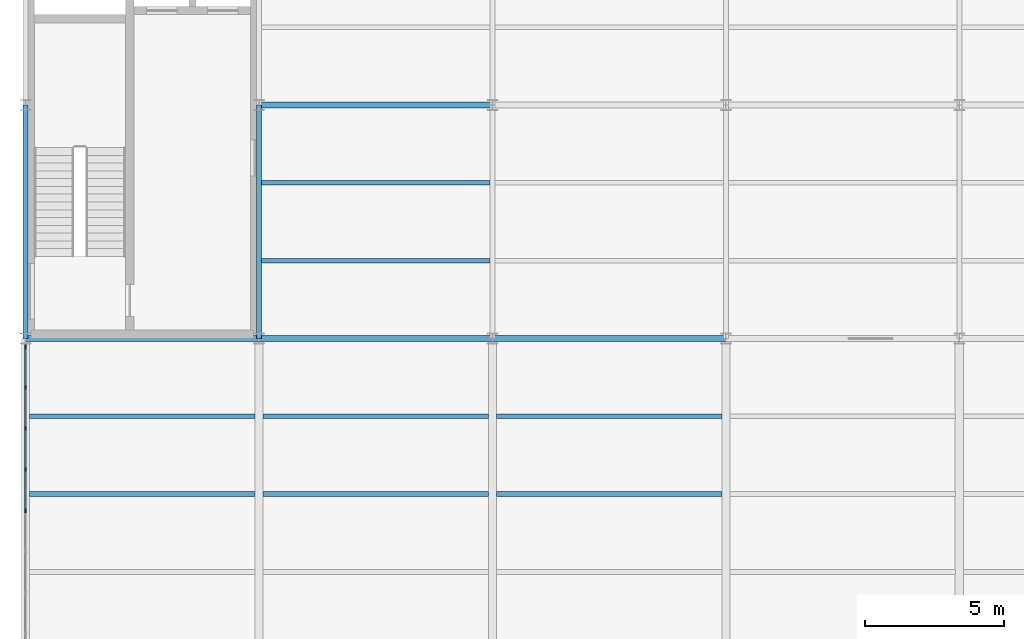
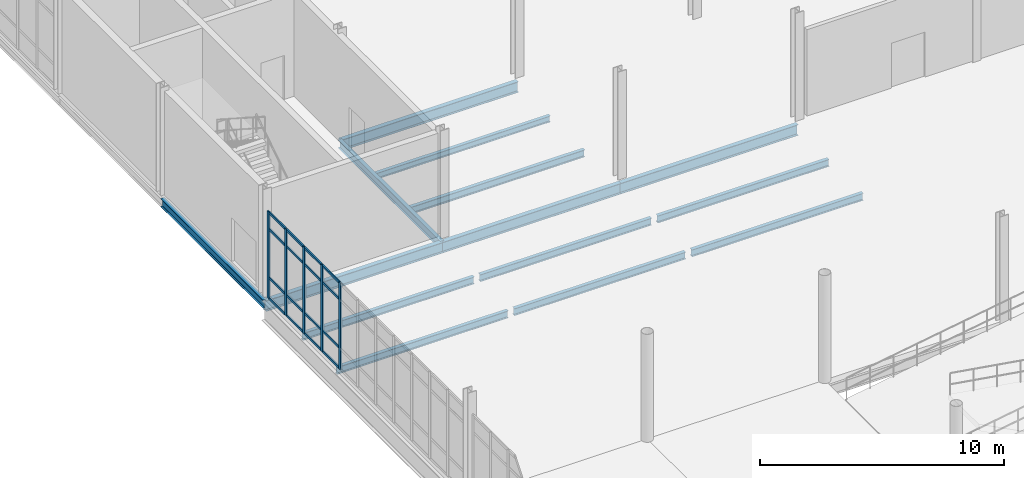
# One storey, part 27 of 111: 21 members, 14 beams, 1 element without a shape of its own.
"""IFC4 building model written with IfcOpenShell, lengths in metres."""

from ifc_helpers import new_model, si_unit, direction, frame, origin, origin_2d, place, context, subcontext, project, spatial, rectangle, i_section, extrude, material, layer, layer_set, material_profile, profile_set, type_object, element, aggregate, save


model = new_model("IFC4")

# Units and contexts
model_context = context("Model", 3, precision=1e-05, world=origin(), true_north=direction((0.0, 1.0)))
body_context = subcontext(model_context, "Body", "Model", "MODEL_VIEW")
ifc_project = project(units=[si_unit("LENGTHUNIT", "METRE"), si_unit("AREAUNIT", "SQUARE_METRE"), si_unit("VOLUMEUNIT", "CUBIC_METRE"), si_unit("PLANEANGLEUNIT", "RADIAN"), si_unit("MASSUNIT", "GRAM", prefix="KILO"), si_unit("THERMODYNAMICTEMPERATUREUNIT", "KELVIN"), si_unit("POWERUNIT", "WATT")], contexts=[model_context])

# Site, building, storey
site_placement = place(None, origin())
site = spatial("IfcSite", under=ifc_project, at=site_placement, CompositionType="ELEMENT")
building_placement = place(site_placement, origin())
building = spatial("IfcBuilding", under=site, at=building_placement, Name="Tembeka Court Mobility Hub", CompositionType="ELEMENT")
storey_placement = place(building_placement, origin())
storey = spatial("IfcBuildingStorey", under=building, at=storey_placement, Name="L00", CompositionType="ELEMENT", Elevation=0.0)

# Beams
ifc_material_1 = material(Name="Steel S355", Category="steel")
ifc_material_profile_1 = material_profile(ifc_material_1, i_section(OverallWidth=0.177978515625, OverallDepth=0.406005859375, WebThickness=0.0078125, FlangeThickness=0.0126953125, FilletRadius=0.01025390625, at=origin_2d()), Name="UKB 406x178x60")
ifc_profile_set_1 = profile_set([ifc_material_profile_1], Name="Steel S355")
beam_type_1 = type_object("IfcBeamType", Name="BM-B02", PredefinedType="BEAM", material=ifc_profile_set_1)
for number, where, z_axis, x_axis, name in (
    (1, (0.0, 38.39990234375, -0.48291015625), (0.0, 1.0, 0.0), (-1.0, 0.0, 0.0), "Beam B02 (BM-L00-Y0167)"),
    (2, (8.39990234375, 38.39990234375, -0.48291015625), (0.0, 1.0, 0.0), (-1.0, 0.0, 0.0), "Beam B02 (BM-L00-Y0178)"),
):
    element("IfcBeam", number, at=place(storey_placement, frame(where, z_axis=z_axis, x_axis=x_axis)), inside=storey, type_object=beam_type_1, Name=name, PredefinedType="BEAM", context=body_context, shape_type="SweptSolid", body=[
        extrude(i_section(OverallWidth=0.177978515625, OverallDepth=0.406005859375, WebThickness=0.0078125, FlangeThickness=0.0126953125, FilletRadius=0.01025390625, at=origin_2d()), origin(), (0.0, 0.0, 1.0), 8.400146484375),
    ])
ifc_material_profile_2 = material_profile(ifc_material_1, i_section(OverallWidth=0.2099609375, OverallDepth=0.537109375, WebThickness=0.0107421875, FlangeThickness=0.017333984375, FilletRadius=0.0126953125, at=origin_2d()), Name="UKB 533x210x101")
ifc_profile_set_2 = profile_set([ifc_material_profile_2], Name="Steel S355")
beam_type_2 = type_object("IfcBeamType", Name="BM-G03", PredefinedType="USERDEFINED", material=ifc_profile_set_2)
beam_1_placement = place(storey_placement, frame((0.0, 38.39990234375, -0.548583984375), z_axis=(1.0, 0.0, 0.0), x_axis=(0.0, 1.0, 0.0)))
element("IfcBeam", 3, at=beam_1_placement, inside=storey, type_object=beam_type_2, Name="Beam G03 (BM-L00-X0041)", ObjectType="GIRDER", PredefinedType="USERDEFINED", context=body_context, shape_type="SweptSolid", body=[
    extrude(i_section(OverallWidth=0.2099609375, OverallDepth=0.537109375, WebThickness=0.0107421875, FlangeThickness=0.017333984375, FilletRadius=0.0126953125, at=origin_2d()), origin(), (0.0, 0.0, 1.0), 8.39990234375),
])
beam_2_placement = place(storey_placement, frame((8.39990234375, 38.39990234375, -0.548583984375), z_axis=(1.0, 0.0, 0.0), x_axis=(0.0, 1.0, 0.0)))
element("IfcBeam", 4, at=beam_2_placement, inside=storey, type_object=beam_type_2, Name="Beam G03 (BM-L00-X0042)", ObjectType="GIRDER", PredefinedType="USERDEFINED", context=body_context, shape_type="SweptSolid", body=[
    extrude(i_section(OverallWidth=0.2099609375, OverallDepth=0.537109375, WebThickness=0.0107421875, FlangeThickness=0.017333984375, FilletRadius=0.0126953125, at=origin_2d()), origin(), (0.0, 0.0, 1.0), 8.400146484375),
])
beam_3_placement = place(storey_placement, frame((16.800048828125, 38.39990234375, -0.548583984375), z_axis=(1.0, 0.0, 0.0), x_axis=(0.0, 1.0, 0.0)))
element("IfcBeam", 5, at=beam_3_placement, inside=storey, type_object=beam_type_2, Name="Beam G03 (BM-L00-X0043)", ObjectType="GIRDER", PredefinedType="USERDEFINED", context=body_context, shape_type="SweptSolid", body=[
    extrude(i_section(OverallWidth=0.2099609375, OverallDepth=0.537109375, WebThickness=0.0107421875, FlangeThickness=0.017333984375, FilletRadius=0.0126953125, at=origin_2d()), origin(), (0.0, 0.0, 1.0), 8.39990234375),
])
beam_4_placement = place(storey_placement, frame((8.39990234375, 46.800048828125, -0.548583984375), z_axis=(1.0, 0.0, 0.0), x_axis=(0.0, 1.0, 0.0)))
element("IfcBeam", 6, at=beam_4_placement, inside=storey, type_object=beam_type_2, Name="Beam G03 (BM-L00-X0059)", ObjectType="GIRDER", PredefinedType="USERDEFINED", context=body_context, shape_type="SweptSolid", body=[
    extrude(i_section(OverallWidth=0.2099609375, OverallDepth=0.537109375, WebThickness=0.0107421875, FlangeThickness=0.017333984375, FilletRadius=0.0126953125, at=origin_2d()), origin(), (0.0, 0.0, 1.0), 8.400146484375),
])
ifc_material_profile_3 = material_profile(ifc_material_1, i_section(OverallWidth=0.172119140625, OverallDepth=0.35498046875, WebThickness=0.00732421875, FlangeThickness=0.011474609375, FilletRadius=0.01025390625, at=origin_2d()), Name="UKB 356x171x51")
ifc_profile_set_3 = profile_set([ifc_material_profile_3], Name="Steel S355")
beam_type_3 = type_object("IfcBeamType", Name="BM-J01", PredefinedType="JOIST", material=ifc_profile_set_3)
for number, where, z_axis, x_axis, name in (
    (7, (0.14501953125, 32.800048828125, -0.45751953125), (1.0, 0.0, 0.0), (0.0, 1.0, 0.0), "Beam J01 (JST-L00-0329)"),
    (8, (0.14501953125, 35.60009765625, -0.45751953125), (1.0, 0.0, 0.0), (0.0, 1.0, 0.0), "Beam J01 (JST-L00-0330)"),
):
    element("IfcBeam", number, at=place(storey_placement, frame(where, z_axis=z_axis, x_axis=x_axis)), inside=storey, type_object=beam_type_3, Name=name, PredefinedType="JOIST", context=body_context, shape_type="SweptSolid", body=[
        extrude(i_section(OverallWidth=0.172119140625, OverallDepth=0.35498046875, WebThickness=0.00732421875, FlangeThickness=0.011474609375, FilletRadius=0.01025390625, at=origin_2d()), origin(), (0.0, 0.0, 1.0), 8.10986328125),
    ])
for number, where, z_axis, x_axis, name in (
    (9, (8.544921875, 32.800048828125, -0.45751953125), (1.0, 0.0, 0.0), (0.0, 1.0, 0.0), "Beam J01 (JST-L00-0341)"),
    (10, (8.544921875, 35.60009765625, -0.45751953125), (1.0, 0.0, 0.0), (0.0, 1.0, 0.0), "Beam J01 (JST-L00-0342)"),
):
    element("IfcBeam", number, at=place(storey_placement, frame(where, z_axis=z_axis, x_axis=x_axis)), inside=storey, type_object=beam_type_3, Name=name, PredefinedType="JOIST", context=body_context, shape_type="SweptSolid", body=[
        extrude(i_section(OverallWidth=0.172119140625, OverallDepth=0.35498046875, WebThickness=0.00732421875, FlangeThickness=0.011474609375, FilletRadius=0.01025390625, at=origin_2d()), origin(), (0.0, 0.0, 1.0), 8.110107421875),
    ])
for number, where, z_axis, x_axis, name in (
    (11, (16.945068359375, 32.800048828125, -0.45751953125), (1.0, 0.0, 0.0), (0.0, 1.0, 0.0), "Beam J01 (JST-L00-0361)"),
    (12, (16.945068359375, 35.60009765625, -0.45751953125), (1.0, 0.0, 0.0), (0.0, 1.0, 0.0), "Beam J01 (JST-L00-0362)"),
):
    element("IfcBeam", number, at=place(storey_placement, frame(where, z_axis=z_axis, x_axis=x_axis)), inside=storey, type_object=beam_type_3, Name=name, PredefinedType="JOIST", context=body_context, shape_type="SweptSolid", body=[
        extrude(i_section(OverallWidth=0.172119140625, OverallDepth=0.35498046875, WebThickness=0.00732421875, FlangeThickness=0.011474609375, FilletRadius=0.01025390625, at=origin_2d()), origin(), (0.0, 0.0, 1.0), 8.10986328125),
    ])
ifc_material_profile_4 = material_profile(ifc_material_1, i_section(OverallWidth=0.1650390625, OverallDepth=0.303955078125, WebThickness=0.006103515625, FlangeThickness=0.01025390625, FilletRadius=0.0087890625, at=origin_2d()), Name="UKB 305x165x40")
ifc_profile_set_4 = profile_set([ifc_material_profile_4], Name="Steel S355")
beam_type_4 = type_object("IfcBeamType", Name="BM-J02", PredefinedType="JOIST", material=ifc_profile_set_4)
beam_5_placement = place(storey_placement, frame((8.48388671875, 44.0, -0.431884765625), z_axis=(1.0, 0.0, 0.0), x_axis=(0.0, 1.0, 0.0)))
element("IfcBeam", 13, at=beam_5_placement, inside=storey, type_object=beam_type_4, Name="Beam J02 (JST-L00-0344)", PredefinedType="JOIST", context=body_context, shape_type="SweptSolid", body=[
    extrude(i_section(OverallWidth=0.1650390625, OverallDepth=0.303955078125, WebThickness=0.006103515625, FlangeThickness=0.01025390625, FilletRadius=0.0087890625, at=origin_2d()), origin(), (0.0, 0.0, 1.0), 8.232177734375),
])
ifc_material_profile_5 = material_profile(ifc_material_1, i_section(OverallWidth=0.169921875, OverallDepth=0.360107421875, WebThickness=0.008056640625, FlangeThickness=0.0126953125, FilletRadius=0.01806640625, at=origin_2d()), Name="IPE 360")
ifc_profile_set_5 = profile_set([ifc_material_profile_5], Name="Steel S355")
beam_type_5 = type_object("IfcBeamType", Name="BM-J03", PredefinedType="JOIST", material=ifc_profile_set_5)
beam_6_placement = place(storey_placement, frame((8.48388671875, 41.199951171875, -0.4599609375), z_axis=(1.0, 0.0, 0.0), x_axis=(0.0, 1.0, 0.0)))
element("IfcBeam", 14, at=beam_6_placement, inside=storey, type_object=beam_type_5, Name="Beam J03 (JST-L00-0343)", PredefinedType="JOIST", context=body_context, shape_type="SweptSolid", body=[
    extrude(i_section(OverallWidth=0.169921875, OverallDepth=0.360107421875, WebThickness=0.008056640625, FlangeThickness=0.0126953125, FilletRadius=0.01806640625, at=origin_2d()), origin(), (0.0, 0.0, 1.0), 8.232177734375),
])

# Curtain wall, members
ifc_material_2 = material(Name="Anodised aluminium 6063-T6", Category="aluminium")
ifc_layer = layer(ifc_material_2, 0.159912109375)
ifc_layer_set = layer_set([ifc_layer], Name="Anodised aluminium 6063-T6")
curtain_wall_type = type_object("IfcCurtainWallType", Name="CW-SYS19", PredefinedType="USERDEFINED", material=ifc_layer_set)
curtain_wall_placement = place(storey_placement, origin())
curtain_wall = element("IfcCurtainWall", 15, at=curtain_wall_placement, inside=storey, type_object=curtain_wall_type, Name="Unitised curtain wall CW19 (CW-L00-026)", ObjectType="UNITISED GLAZING", PredefinedType="USERDEFINED")
ifc_material_profile_6 = material_profile(ifc_material_2, rectangle(XDim=0.06494140625, YDim=0.159912109375, at=origin_2d()), Name="ALU-MUL 65x160")
ifc_profile_set_6 = profile_set([ifc_material_profile_6], Name="Anodised aluminium 6063-T6")
member_type_1 = type_object("IfcMemberType", Name="CW-MUL01", PredefinedType="MULLION", material=ifc_profile_set_6)
member_1_placement = place(storey_placement, frame((0.0, 32.214599609375, 0.0), z_axis=(0.0, 0.0, 1.0), x_axis=(-1.0, 0.0, 0.0)))
member_1 = element("IfcMember", 16, at=member_1_placement, type_object=member_type_1, Name="CW19 mullion 8", PredefinedType="MULLION", context=body_context, shape_type="SweptSolid", body=[
    extrude(rectangle(XDim=0.06494140625, YDim=0.159912109375, at=origin_2d()), origin(), (0.0, 0.0, 1.0), 4.3349609375),
])
member_2_placement = place(storey_placement, frame((0.0, 33.69091796875, 0.0), z_axis=(0.0, 0.0, 1.0), x_axis=(-1.0, 0.0, 0.0)))
member_2 = element("IfcMember", 17, at=member_2_placement, type_object=member_type_1, Name="CW19 mullion 9", PredefinedType="MULLION", context=body_context, shape_type="SweptSolid", body=[
    extrude(rectangle(XDim=0.06494140625, YDim=0.159912109375, at=origin_2d()), origin(), (0.0, 0.0, 1.0), 4.3349609375),
])
member_3_placement = place(storey_placement, frame((0.0, 35.167236328125, 0.0), z_axis=(0.0, 0.0, 1.0), x_axis=(-1.0, 0.0, 0.0)))
member_3 = element("IfcMember", 18, at=member_3_placement, type_object=member_type_1, Name="CW19 mullion 10", PredefinedType="MULLION", context=body_context, shape_type="SweptSolid", body=[
    extrude(rectangle(XDim=0.06494140625, YDim=0.159912109375, at=origin_2d()), origin(), (0.0, 0.0, 1.0), 4.3349609375),
])
member_4_placement = place(storey_placement, frame((0.0, 36.6435546875, 0.0), z_axis=(0.0, 0.0, 1.0), x_axis=(-1.0, 0.0, 0.0)))
member_4 = element("IfcMember", 19, at=member_4_placement, type_object=member_type_1, Name="CW19 mullion 11", PredefinedType="MULLION", context=body_context, shape_type="SweptSolid", body=[
    extrude(rectangle(XDim=0.06494140625, YDim=0.159912109375, at=origin_2d()), origin(), (0.0, 0.0, 1.0), 4.3349609375),
])
member_5_placement = place(storey_placement, frame((0.0, 38.08740234375, 0.0), z_axis=(0.0, 0.0, 1.0), x_axis=(-1.0, 0.0, 0.0)))
member_5 = element("IfcMember", 20, at=member_5_placement, type_object=member_type_1, Name="CW19 mullion 12", PredefinedType="MULLION", context=body_context, shape_type="SweptSolid", body=[
    extrude(rectangle(XDim=0.06494140625, YDim=0.159912109375, at=origin_2d()), origin(), (0.0, 0.0, 1.0), 4.3349609375),
])
ifc_material_profile_7 = material_profile(ifc_material_2, rectangle(XDim=0.06494140625, YDim=0.1201171875, at=origin_2d()), Name="ALU-TRN 65x120")
ifc_profile_set_7 = profile_set([ifc_material_profile_7], Name="Anodised aluminium 6063-T6")
member_type_2 = type_object("IfcMemberType", Name="CW-TRN01", PredefinedType="USERDEFINED", material=ifc_profile_set_7)
member_6_placement = place(storey_placement, frame((0.0, 32.2470703125, 0.032470703125), z_axis=(0.0, 1.0, 0.0), x_axis=(-1.0, 0.0, 0.0)))
member_6 = element("IfcMember", 21, at=member_6_placement, type_object=member_type_2, Name="CW19 transom 8.1", ObjectType="TRANSOM", PredefinedType="USERDEFINED", context=body_context, shape_type="SweptSolid", body=[
    extrude(rectangle(XDim=0.06494140625, YDim=0.1201171875, at=origin_2d()), origin(), (0.0, 0.0, 1.0), 1.411376953125),
])
member_7_placement = place(storey_placement, frame((0.0, 32.2470703125, 1.050048828125), z_axis=(0.0, 1.0, 0.0), x_axis=(-1.0, 0.0, 0.0)))
member_7 = element("IfcMember", 22, at=member_7_placement, type_object=member_type_2, Name="CW19 transom 8.2", ObjectType="TRANSOM", PredefinedType="USERDEFINED", context=body_context, shape_type="SweptSolid", body=[
    extrude(rectangle(XDim=0.06494140625, YDim=0.1201171875, at=origin_2d()), origin(), (0.0, 0.0, 1.0), 1.411376953125),
])
member_8_placement = place(storey_placement, frame((0.0, 32.2470703125, 3.485107421875), z_axis=(0.0, 1.0, 0.0), x_axis=(-1.0, 0.0, 0.0)))
member_8 = element("IfcMember", 23, at=member_8_placement, type_object=member_type_2, Name="CW19 transom 8.3", ObjectType="TRANSOM", PredefinedType="USERDEFINED", context=body_context, shape_type="SweptSolid", body=[
    extrude(rectangle(XDim=0.06494140625, YDim=0.1201171875, at=origin_2d()), origin(), (0.0, 0.0, 1.0), 1.411376953125),
])
member_9_placement = place(storey_placement, frame((0.0, 32.2470703125, 4.302490234375), z_axis=(0.0, 1.0, 0.0), x_axis=(-1.0, 0.0, 0.0)))
member_9 = element("IfcMember", 24, at=member_9_placement, type_object=member_type_2, Name="CW19 transom 8.4", ObjectType="TRANSOM", PredefinedType="USERDEFINED", context=body_context, shape_type="SweptSolid", body=[
    extrude(rectangle(XDim=0.06494140625, YDim=0.1201171875, at=origin_2d()), origin(), (0.0, 0.0, 1.0), 1.411376953125),
])
member_10_placement = place(storey_placement, frame((0.0, 33.723388671875, 0.032470703125), z_axis=(0.0, 1.0, 0.0), x_axis=(-1.0, 0.0, 0.0)))
member_10 = element("IfcMember", 25, at=member_10_placement, type_object=member_type_2, Name="CW19 transom 9.1", ObjectType="TRANSOM", PredefinedType="USERDEFINED", context=body_context, shape_type="SweptSolid", body=[
    extrude(rectangle(XDim=0.06494140625, YDim=0.1201171875, at=origin_2d()), origin(), (0.0, 0.0, 1.0), 1.411376953125),
])
member_11_placement = place(storey_placement, frame((0.0, 33.723388671875, 1.050048828125), z_axis=(0.0, 1.0, 0.0), x_axis=(-1.0, 0.0, 0.0)))
member_11 = element("IfcMember", 26, at=member_11_placement, type_object=member_type_2, Name="CW19 transom 9.2", ObjectType="TRANSOM", PredefinedType="USERDEFINED", context=body_context, shape_type="SweptSolid", body=[
    extrude(rectangle(XDim=0.06494140625, YDim=0.1201171875, at=origin_2d()), origin(), (0.0, 0.0, 1.0), 1.411376953125),
])
member_12_placement = place(storey_placement, frame((0.0, 33.723388671875, 3.485107421875), z_axis=(0.0, 1.0, 0.0), x_axis=(-1.0, 0.0, 0.0)))
member_12 = element("IfcMember", 27, at=member_12_placement, type_object=member_type_2, Name="CW19 transom 9.3", ObjectType="TRANSOM", PredefinedType="USERDEFINED", context=body_context, shape_type="SweptSolid", body=[
    extrude(rectangle(XDim=0.06494140625, YDim=0.1201171875, at=origin_2d()), origin(), (0.0, 0.0, 1.0), 1.411376953125),
])
member_13_placement = place(storey_placement, frame((0.0, 33.723388671875, 4.302490234375), z_axis=(0.0, 1.0, 0.0), x_axis=(-1.0, 0.0, 0.0)))
member_13 = element("IfcMember", 28, at=member_13_placement, type_object=member_type_2, Name="CW19 transom 9.4", ObjectType="TRANSOM", PredefinedType="USERDEFINED", context=body_context, shape_type="SweptSolid", body=[
    extrude(rectangle(XDim=0.06494140625, YDim=0.1201171875, at=origin_2d()), origin(), (0.0, 0.0, 1.0), 1.411376953125),
])
member_14_placement = place(storey_placement, frame((0.0, 35.19970703125, 0.032470703125), z_axis=(0.0, 1.0, 0.0), x_axis=(-1.0, 0.0, 0.0)))
member_14 = element("IfcMember", 29, at=member_14_placement, type_object=member_type_2, Name="CW19 transom 10.1", ObjectType="TRANSOM", PredefinedType="USERDEFINED", context=body_context, shape_type="SweptSolid", body=[
    extrude(rectangle(XDim=0.06494140625, YDim=0.1201171875, at=origin_2d()), origin(), (0.0, 0.0, 1.0), 1.411376953125),
])
member_15_placement = place(storey_placement, frame((0.0, 35.19970703125, 1.050048828125), z_axis=(0.0, 1.0, 0.0), x_axis=(-1.0, 0.0, 0.0)))
member_15 = element("IfcMember", 30, at=member_15_placement, type_object=member_type_2, Name="CW19 transom 10.2", ObjectType="TRANSOM", PredefinedType="USERDEFINED", context=body_context, shape_type="SweptSolid", body=[
    extrude(rectangle(XDim=0.06494140625, YDim=0.1201171875, at=origin_2d()), origin(), (0.0, 0.0, 1.0), 1.411376953125),
])
member_16_placement = place(storey_placement, frame((0.0, 35.19970703125, 3.485107421875), z_axis=(0.0, 1.0, 0.0), x_axis=(-1.0, 0.0, 0.0)))
member_16 = element("IfcMember", 31, at=member_16_placement, type_object=member_type_2, Name="CW19 transom 10.3", ObjectType="TRANSOM", PredefinedType="USERDEFINED", context=body_context, shape_type="SweptSolid", body=[
    extrude(rectangle(XDim=0.06494140625, YDim=0.1201171875, at=origin_2d()), origin(), (0.0, 0.0, 1.0), 1.411376953125),
])
member_17_placement = place(storey_placement, frame((0.0, 35.19970703125, 4.302490234375), z_axis=(0.0, 1.0, 0.0), x_axis=(-1.0, 0.0, 0.0)))
member_17 = element("IfcMember", 32, at=member_17_placement, type_object=member_type_2, Name="CW19 transom 10.4", ObjectType="TRANSOM", PredefinedType="USERDEFINED", context=body_context, shape_type="SweptSolid", body=[
    extrude(rectangle(XDim=0.06494140625, YDim=0.1201171875, at=origin_2d()), origin(), (0.0, 0.0, 1.0), 1.411376953125),
])
member_18_placement = place(storey_placement, frame((0.0, 36.676025390625, 0.032470703125), z_axis=(0.0, 1.0, 0.0), x_axis=(-1.0, 0.0, 0.0)))
member_18 = element("IfcMember", 33, at=member_18_placement, type_object=member_type_2, Name="CW19 transom 11.1", ObjectType="TRANSOM", PredefinedType="USERDEFINED", context=body_context, shape_type="SweptSolid", body=[
    extrude(rectangle(XDim=0.06494140625, YDim=0.1201171875, at=origin_2d()), origin(), (0.0, 0.0, 1.0), 1.37890625),
])
member_19_placement = place(storey_placement, frame((0.0, 36.676025390625, 1.050048828125), z_axis=(0.0, 1.0, 0.0), x_axis=(-1.0, 0.0, 0.0)))
member_19 = element("IfcMember", 34, at=member_19_placement, type_object=member_type_2, Name="CW19 transom 11.2", ObjectType="TRANSOM", PredefinedType="USERDEFINED", context=body_context, shape_type="SweptSolid", body=[
    extrude(rectangle(XDim=0.06494140625, YDim=0.1201171875, at=origin_2d()), origin(), (0.0, 0.0, 1.0), 1.37890625),
])
member_20_placement = place(storey_placement, frame((0.0, 36.676025390625, 3.485107421875), z_axis=(0.0, 1.0, 0.0), x_axis=(-1.0, 0.0, 0.0)))
member_20 = element("IfcMember", 35, at=member_20_placement, type_object=member_type_2, Name="CW19 transom 11.3", ObjectType="TRANSOM", PredefinedType="USERDEFINED", context=body_context, shape_type="SweptSolid", body=[
    extrude(rectangle(XDim=0.06494140625, YDim=0.1201171875, at=origin_2d()), origin(), (0.0, 0.0, 1.0), 1.37890625),
])
member_21_placement = place(storey_placement, frame((0.0, 36.676025390625, 4.302490234375), z_axis=(0.0, 1.0, 0.0), x_axis=(-1.0, 0.0, 0.0)))
member_21 = element("IfcMember", 36, at=member_21_placement, type_object=member_type_2, Name="CW19 transom 11.4", ObjectType="TRANSOM", PredefinedType="USERDEFINED", context=body_context, shape_type="SweptSolid", body=[
    extrude(rectangle(XDim=0.06494140625, YDim=0.1201171875, at=origin_2d()), origin(), (0.0, 0.0, 1.0), 1.37890625),
])
aggregate(curtain_wall, [member_1, member_2, member_3, member_4, member_5, member_6, member_7, member_8, member_9, member_10, member_11, member_12, member_13, member_14, member_15, member_16, member_17, member_18, member_19, member_20, member_21])

save(model, "model.ifc")
